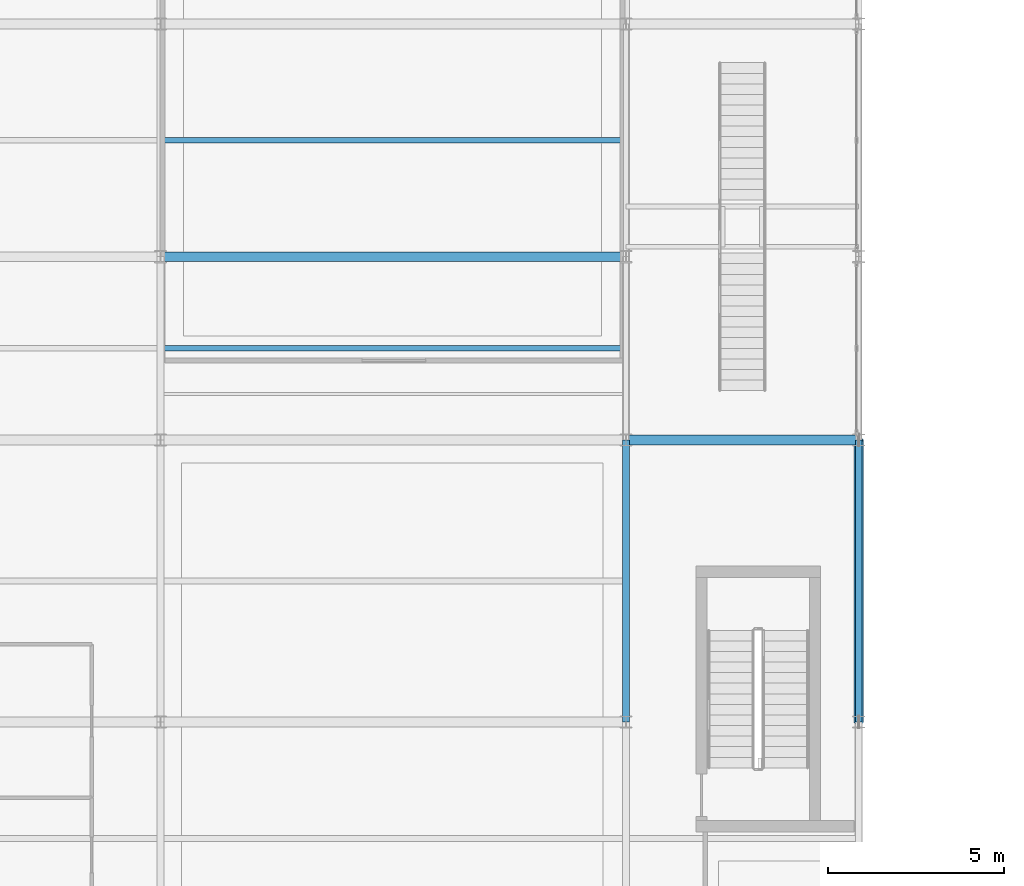
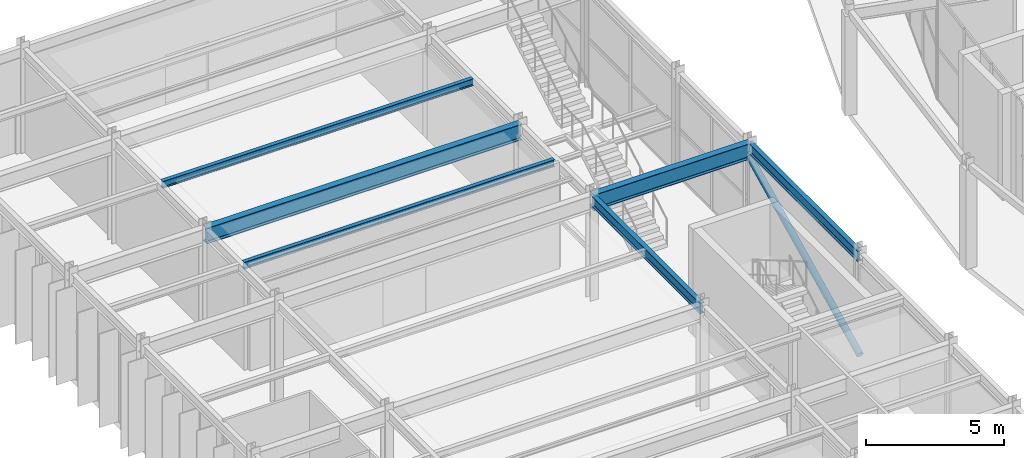
# One storey, part 39 of 144: 6 beams, 1 member.
"""IFC4 building model written with IfcOpenShell, lengths in metres."""

from ifc_helpers import new_model, si_unit, direction, frame, origin, origin_2d, place, context, subcontext, project, spatial, hollow_circle, i_section, extrude, material, material_profile, profile_set, type_object, element, save


model = new_model("IFC4")

# Units and contexts
model_context = context("Model", 3, precision=1e-05, world=origin(), true_north=direction((0.0, 1.0)))
body_context = subcontext(model_context, "Body", "Model", "MODEL_VIEW")
ifc_project = project(units=[si_unit("LENGTHUNIT", "METRE"), si_unit("AREAUNIT", "SQUARE_METRE"), si_unit("VOLUMEUNIT", "CUBIC_METRE"), si_unit("PLANEANGLEUNIT", "RADIAN"), si_unit("MASSUNIT", "GRAM", prefix="KILO")], contexts=[model_context])

# Site, building, storey
site_placement = place(None, origin())
site = spatial("IfcSite", under=ifc_project, at=site_placement, CompositionType="ELEMENT")
building_placement = place(site_placement, origin())
building = spatial("IfcBuilding", under=site, at=building_placement, Name="Karori Crest Natural Sciences Institute", CompositionType="ELEMENT")
storey_placement = place(building_placement, origin())
storey = spatial("IfcBuildingStorey", under=building, at=storey_placement, Name="L00", CompositionType="ELEMENT", Elevation=0.0)

# Beams
ifc_material_1 = material(Name="Structural steel AS/NZS 3679.1 Grade 350", Category="steel")
ifc_material_profile_1 = material_profile(ifc_material_1, i_section(OverallWidth=0.27490234375, OverallDepth=0.699951171875, WebThickness=0.010009765625, FlangeThickness=0.02001953125, FilletRadius=0.013916015625, at=origin_2d()), Name="700WB150")
ifc_profile_set_1 = profile_set([ifc_material_profile_1], Name="Structural steel AS/NZS 3679.1 Grade 350")
beam_type_1 = type_object("IfcBeamType", Name="BT-03", PredefinedType="BEAM", material=ifc_profile_set_1)
beam_1_placement = place(storey_placement, frame((20.60009765625, 55.0, 4.27001953125), z_axis=(1.0, 0.0, 0.0), x_axis=(0.0, 1.0, 0.0)))
element("IfcBeam", 1, at=beam_1_placement, inside=storey, type_object=beam_type_1, Name="Beam B-0951", PredefinedType="BEAM", context=body_context, shape_type="SweptSolid", body=[
    extrude(i_section(OverallWidth=0.27490234375, OverallDepth=0.699951171875, WebThickness=0.010009765625, FlangeThickness=0.02001953125, FilletRadius=0.013916015625, at=origin_2d()), origin(), (0.0, 0.0, 1.0), 6.599853515625),
])
beam_2_placement = place(storey_placement, frame((7.39990234375, 60.199951171875, 4.27001953125), z_axis=(1.0, 0.0, 0.0), x_axis=(0.0, 1.0, 0.0)))
element("IfcBeam", 2, at=beam_2_placement, inside=storey, type_object=beam_type_1, Name="Beam B-0953", PredefinedType="BEAM", context=body_context, shape_type="SweptSolid", body=[
    extrude(i_section(OverallWidth=0.27490234375, OverallDepth=0.699951171875, WebThickness=0.010009765625, FlangeThickness=0.02001953125, FilletRadius=0.013916015625, at=origin_2d()), origin(), (0.0, 0.0, 1.0), 13.2001953125),
])
ifc_material_profile_2 = material_profile(ifc_material_1, i_section(OverallWidth=0.19091796875, OverallDepth=0.4599609375, WebThickness=0.010009765625, FlangeThickness=0.01611328125, FilletRadius=0.010986328125, at=origin_2d()), Name="460UB82.1")
ifc_profile_set_2 = profile_set([ifc_material_profile_2], Name="Structural steel AS/NZS 3679.1 Grade 350")
beam_type_2 = type_object("IfcBeamType", Name="BT-06", PredefinedType="BEAM", material=ifc_profile_set_2)
beam_3_placement = place(storey_placement, frame((20.60009765625, 47.0, 4.389892578125), z_axis=(0.0, 1.0, 0.0), x_axis=(-1.0, 0.0, 0.0)))
element("IfcBeam", 3, at=beam_3_placement, inside=storey, type_object=beam_type_2, Name="Beam B-0977", PredefinedType="BEAM", context=body_context, shape_type="SweptSolid", body=[
    extrude(i_section(OverallWidth=0.19091796875, OverallDepth=0.4599609375, WebThickness=0.010009765625, FlangeThickness=0.01611328125, FilletRadius=0.010986328125, at=origin_2d()), origin(), (0.0, 0.0, 1.0), 8.0),
])
ifc_material_profile_3 = material_profile(ifc_material_1, i_section(OverallWidth=0.19091796875, OverallDepth=0.4599609375, WebThickness=0.010009765625, FlangeThickness=0.01611328125, FilletRadius=0.010986328125, at=origin_2d()), Name="460UB82.1")
ifc_profile_set_3 = profile_set([ifc_material_profile_3], Name="Structural steel AS/NZS 3679.1 Grade 350")
beam_type_3 = type_object("IfcBeamType", Name="BT-06-EL", PredefinedType="BEAM", material=ifc_profile_set_3)
beam_4_placement = place(storey_placement, frame((27.199951171875, 47.0, 4.389892578125), z_axis=(0.0, 1.0, 0.0), x_axis=(-1.0, 0.0, 0.0)))
element("IfcBeam", 4, at=beam_4_placement, inside=storey, type_object=beam_type_3, Name="Beam B-0984", PredefinedType="BEAM", context=body_context, shape_type="SweptSolid", body=[
    extrude(i_section(OverallWidth=0.19091796875, OverallDepth=0.4599609375, WebThickness=0.010009765625, FlangeThickness=0.01611328125, FilletRadius=0.010986328125, at=origin_2d()), origin(), (0.0, 0.0, 1.0), 8.0),
])
ifc_material_profile_4 = material_profile(ifc_material_1, i_section(OverallWidth=0.166015625, OverallDepth=0.306884765625, WebThickness=0.006591796875, FlangeThickness=0.01171875, FilletRadius=0.010986328125, at=origin_2d()), Name="310UB46.2")
ifc_profile_set_4 = profile_set([ifc_material_profile_4], Name="Structural steel AS/NZS 3679.1 Grade 350")
beam_type_4 = type_object("IfcBeamType", Name="BT-09", PredefinedType="BEAM", material=ifc_profile_set_4)
for number, where, z_axis, x_axis, name in (
    (5, (7.49560546875, 57.60009765625, 4.466552734375), (1.0, 0.0, 0.0), (0.0, 1.0, 0.0), "Beam B-0999"),
    (6, (7.49560546875, 63.5, 4.466552734375), (1.0, 0.0, 0.0), (0.0, 1.0, 0.0), "Beam B-1001"),
):
    element("IfcBeam", number, at=place(storey_placement, frame(where, z_axis=z_axis, x_axis=x_axis)), inside=storey, type_object=beam_type_4, Name=name, PredefinedType="BEAM", context=body_context, shape_type="SweptSolid", body=[
        extrude(i_section(OverallWidth=0.166015625, OverallDepth=0.306884765625, WebThickness=0.006591796875, FlangeThickness=0.01171875, FilletRadius=0.010986328125, at=origin_2d()), origin(), (0.0, 0.0, 1.0), 13.0087890625),
    ])

# Member
ifc_material_2 = material(Name="Hollow structural steel AS/NZS 1163 Grade C350", Category="steel")
ifc_material_profile_5 = material_profile(ifc_material_2, hollow_circle(Radius=0.136474609375, WallThickness=0.00927734375, at=origin_2d()), Name="CHS273.0x9.3")
ifc_profile_set_5 = profile_set([ifc_material_profile_5], Name="Hollow structural steel AS/NZS 1163 Grade C350")
member_type = type_object("IfcMemberType", Name="MT-01-EL", PredefinedType="BRACE", material=ifc_profile_set_5)
member_placement = place(storey_placement, frame((27.199951171875, 47.0, 0.010009765625), z_axis=(0.0, 0.897993766625, 0.440008176176), x_axis=(-1.0, 0.0, 0.0)))
element("IfcMember", 7, at=member_placement, inside=storey, type_object=member_type, Name="Diagonal Brace M-0252", PredefinedType="BRACE", context=body_context, shape_type="SweptSolid", body=[
    extrude(hollow_circle(Radius=0.136474609375, WallThickness=0.00927734375, at=origin_2d()), origin(), (0.0, 0.0, 1.0), 8.90869140625),
])

save(model, "model.ifc")
